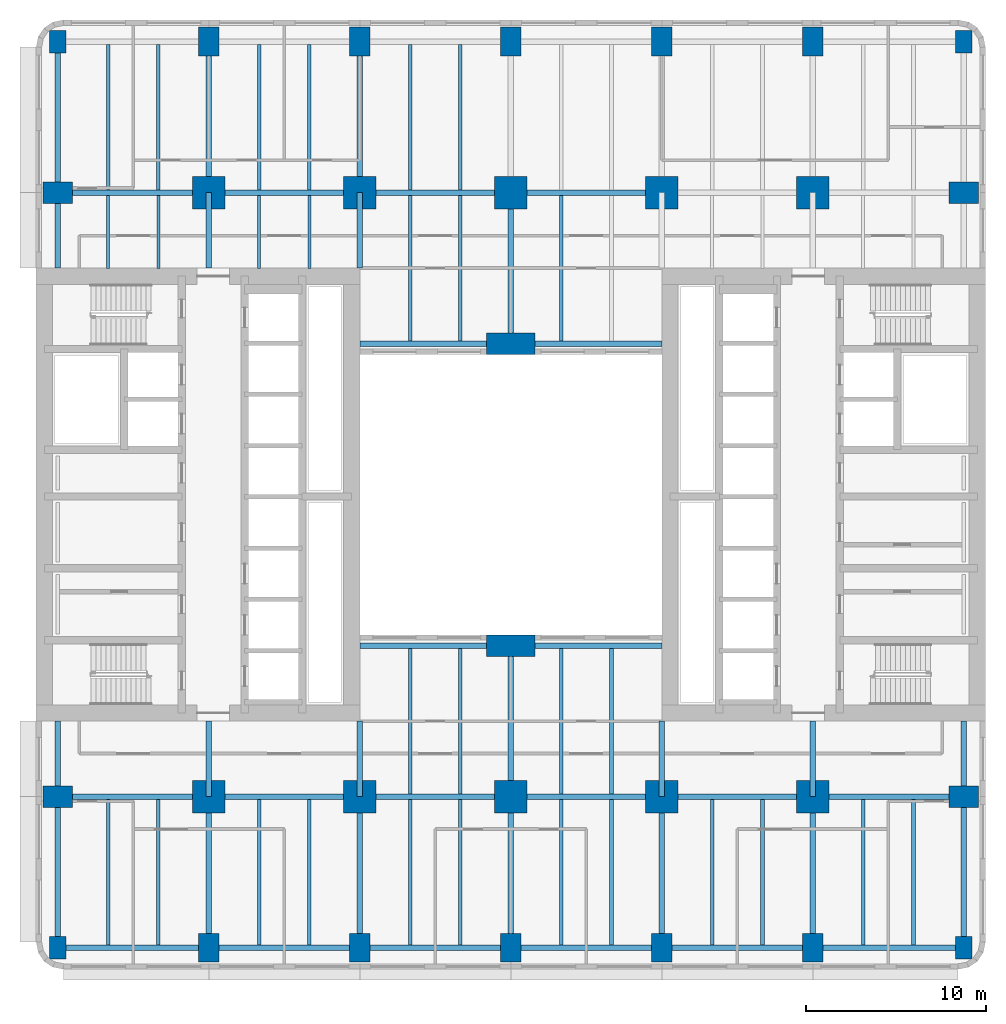
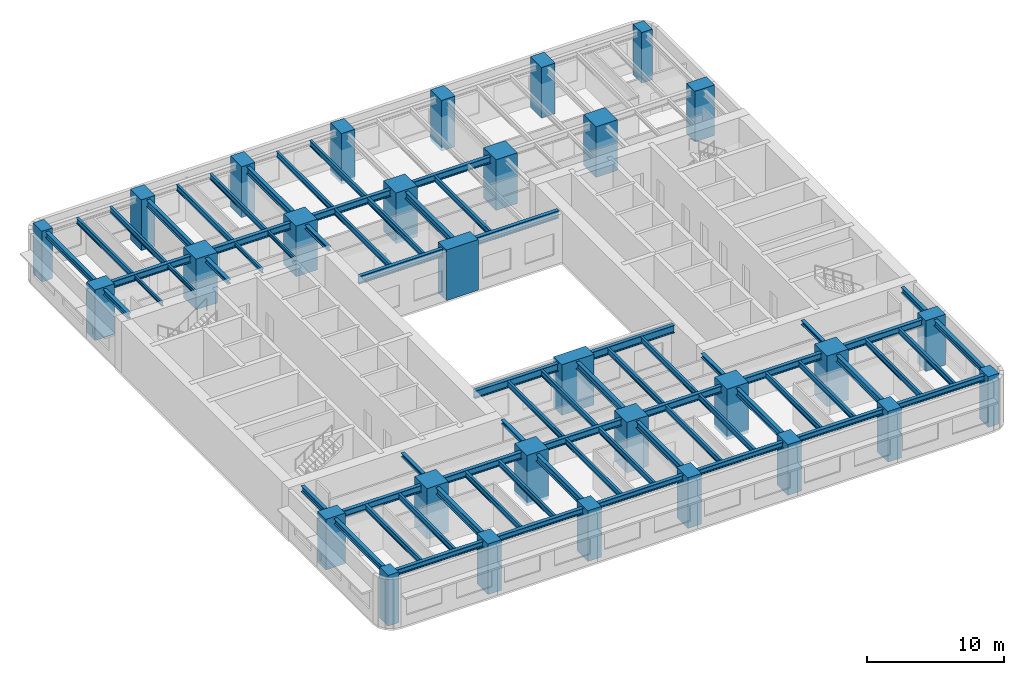
# One storey, part 1 of 14: 70 beams, 30 columns.
"""IFC4 building model written with IfcOpenShell, lengths in metres."""

from ifc_helpers import new_model, si_unit, direction, frame, origin, origin_2d, place, context, subcontext, project, spatial, rectangle, i_section, extrude, material, material_profile, profile_set, type_object, element, save


model = new_model("IFC4")

# Units and contexts
model_context = context("Model", 3, precision=1e-05, world=origin(), true_north=direction((0.0, 1.0)))
body_context = subcontext(model_context, "Body", "Model", "MODEL_VIEW")
ifc_project = project(units=[si_unit("LENGTHUNIT", "METRE"), si_unit("AREAUNIT", "SQUARE_METRE"), si_unit("VOLUMEUNIT", "CUBIC_METRE"), si_unit("PLANEANGLEUNIT", "RADIAN"), si_unit("MASSUNIT", "GRAM", prefix="KILO")], contexts=[model_context])

# Site, building, storey
site_placement = place(None, origin())
site = spatial("IfcSite", under=ifc_project, at=site_placement, CompositionType="ELEMENT")
building_placement = place(site_placement, origin())
building = spatial("IfcBuilding", under=site, at=building_placement, Name="Claustro Exchange Tower", CompositionType="ELEMENT")
storey_placement = place(building_placement, frame((0.0, 0.0, 72.89990234375)))
storey = spatial("IfcBuildingStorey", under=building, at=storey_placement, Name="L16", CompositionType="ELEMENT", Elevation=72.89990234375)

# Columns
ifc_material_1 = material(Name="Concrete HA-70 (C70/85)", Category="concrete")
ifc_material_profile_1 = material_profile(ifc_material_1, rectangle(XDim=1.800048828125, YDim=1.800048828125, at=origin_2d()), Name="RC 1800x1800")
ifc_profile_set_1 = profile_set([ifc_material_profile_1], Name="Concrete HA-70 (C70/85)")
column_type_1 = type_object("IfcColumnType", Name="C14 RC 1800x1800 HA-70 column", PredefinedType="COLUMN", material=ifc_profile_set_1)
for number, where, z_axis, x_axis, name in (
    (1, (8.39990234375, 8.39990234375, 0.0), (0.0, 0.0, 1.0), (1.0, 0.0, 0.0), "Column C14 2/B L16"),
    (2, (8.39990234375, 42.0, 0.0), (0.0, 0.0, 1.0), (1.0, 0.0, 0.0), "Column C14 2/F L16"),
    (3, (16.800048828125, 8.39990234375, 0.0), (0.0, 0.0, 1.0), (1.0, 0.0, 0.0), "Column C14 3/B L16"),
    (4, (16.800048828125, 42.0, 0.0), (0.0, 0.0, 1.0), (1.0, 0.0, 0.0), "Column C14 3/F L16"),
    (5, (25.199951171875, 8.39990234375, 0.0), (0.0, 0.0, 1.0), (1.0, 0.0, 0.0), "Column C14 4/B L16"),
    (6, (25.199951171875, 42.0, 0.0), (0.0, 0.0, 1.0), (1.0, 0.0, 0.0), "Column C14 4/F L16"),
    (7, (33.60009765625, 8.39990234375, 0.0), (0.0, 0.0, 1.0), (1.0, 0.0, 0.0), "Column C14 5/B L16"),
    (8, (33.60009765625, 42.0, 0.0), (0.0, 0.0, 1.0), (1.0, 0.0, 0.0), "Column C14 5/F L16"),
    (9, (42.0, 8.39990234375, 0.0), (0.0, 0.0, 1.0), (1.0, 0.0, 0.0), "Column C14 6/B L16"),
    (10, (42.0, 42.0, 0.0), (0.0, 0.0, 1.0), (1.0, 0.0, 0.0), "Column C14 6/F L16"),
):
    element("IfcColumn", number, at=place(storey_placement, frame(where, z_axis=z_axis, x_axis=x_axis)), inside=storey, type_object=column_type_1, Name=name, PredefinedType="COLUMN", context=body_context, shape_type="SweptSolid", body=[
        extrude(rectangle(XDim=1.800048828125, YDim=1.800048828125, at=origin_2d()), origin(), (0.0, 0.0, 1.0), 4.5),
    ])
ifc_material_2 = material(Name="Concrete HA-70 (C70/85)", Category="concrete")
ifc_material_profile_2 = material_profile(ifc_material_2, rectangle(XDim=1.199951171875, YDim=1.64990234375, at=origin_2d()), Name="RC 1200x1650")
ifc_profile_set_2 = profile_set([ifc_material_profile_2], Name="Concrete HA-70 (C70/85)")
column_type_2 = type_object("IfcColumnType", Name="C19 RC 1200x1650 HA-70 perimeter column", PredefinedType="COLUMN", material=ifc_profile_set_2)
for number, where, z_axis, x_axis, name in (
    (11, (0.0, 8.39990234375, 0.0), (0.0, 0.0, 1.0), (0.0, 1.0, 0.0), "Column C19 1/B L16"),
    (12, (0.0, 42.0, 0.0), (0.0, 0.0, 1.0), (0.0, 1.0, 0.0), "Column C19 1/F L16"),
    (13, (50.39990234375, 8.39990234375, 0.0), (0.0, 0.0, 1.0), (0.0, 1.0, 0.0), "Column C19 7/B L16"),
    (14, (50.39990234375, 42.0, 0.0), (0.0, 0.0, 1.0), (0.0, 1.0, 0.0), "Column C19 7/F L16"),
):
    element("IfcColumn", number, at=place(storey_placement, frame(where, z_axis=z_axis, x_axis=x_axis)), inside=storey, type_object=column_type_2, Name=name, PredefinedType="COLUMN", context=body_context, shape_type="SweptSolid", body=[
        extrude(rectangle(XDim=1.199951171875, YDim=1.64990234375, at=origin_2d()), origin(), (0.0, 0.0, 1.0), 4.5),
    ])
ifc_material_3 = material(Name="Concrete HA-70 (C70/85)", Category="concrete")
ifc_material_profile_3 = material_profile(ifc_material_3, rectangle(XDim=1.14990234375, YDim=1.60009765625, at=origin_2d()), Name="RC 1150x1600")
ifc_profile_set_3 = profile_set([ifc_material_profile_3], Name="Concrete HA-70 (C70/85)")
column_type_3 = type_object("IfcColumnType", Name="C20 RC 1150x1600 HA-70 perimeter column", PredefinedType="COLUMN", material=ifc_profile_set_3)
for number, where, z_axis, x_axis, name in (
    (15, (8.39990234375, 0.0, 0.0), (0.0, 0.0, 1.0), (1.0, 0.0, 0.0), "Column C20 2/A L16"),
    (16, (8.39990234375, 50.39990234375, 0.0), (0.0, 0.0, 1.0), (1.0, 0.0, 0.0), "Column C20 2/G L16"),
    (17, (16.800048828125, 0.0, 0.0), (0.0, 0.0, 1.0), (1.0, 0.0, 0.0), "Column C20 3/A L16"),
    (18, (16.800048828125, 50.39990234375, 0.0), (0.0, 0.0, 1.0), (1.0, 0.0, 0.0), "Column C20 3/G L16"),
    (19, (25.199951171875, 0.0, 0.0), (0.0, 0.0, 1.0), (1.0, 0.0, 0.0), "Column C20 4/A L16"),
    (20, (25.199951171875, 50.39990234375, 0.0), (0.0, 0.0, 1.0), (1.0, 0.0, 0.0), "Column C20 4/G L16"),
    (21, (33.60009765625, 0.0, 0.0), (0.0, 0.0, 1.0), (1.0, 0.0, 0.0), "Column C20 5/A L16"),
    (22, (33.60009765625, 50.39990234375, 0.0), (0.0, 0.0, 1.0), (1.0, 0.0, 0.0), "Column C20 5/G L16"),
    (23, (42.0, 0.0, 0.0), (0.0, 0.0, 1.0), (1.0, 0.0, 0.0), "Column C20 6/A L16"),
    (24, (42.0, 50.39990234375, 0.0), (0.0, 0.0, 1.0), (1.0, 0.0, 0.0), "Column C20 6/G L16"),
):
    element("IfcColumn", number, at=place(storey_placement, frame(where, z_axis=z_axis, x_axis=x_axis)), inside=storey, type_object=column_type_3, Name=name, PredefinedType="COLUMN", context=body_context, shape_type="SweptSolid", body=[
        extrude(rectangle(XDim=1.14990234375, YDim=1.60009765625, at=origin_2d()), origin(), (0.0, 0.0, 1.0), 4.5),
    ])
ifc_material_4 = material(Name="Concrete HA-70 (C70/85)", Category="concrete")
ifc_material_profile_4 = material_profile(ifc_material_4, rectangle(XDim=2.699951171875, YDim=1.199951171875, at=origin_2d()), Name="RC 2700x1200")
ifc_profile_set_4 = profile_set([ifc_material_profile_4], Name="Concrete HA-70 (C70/85)")
column_type_4 = type_object("IfcColumnType", Name="C30 RC 2700x1200 HA-70 light well column", PredefinedType="COLUMN", material=ifc_profile_set_4)
for number, where, z_axis, x_axis, name in (
    (25, (25.199951171875, 16.800048828125, 0.0), (0.0, 0.0, 1.0), (1.0, 0.0, 0.0), "Column C30 4/C L16"),
    (26, (25.199951171875, 33.60009765625, 0.0), (0.0, 0.0, 1.0), (1.0, 0.0, 0.0), "Column C30 4/E L16"),
):
    element("IfcColumn", number, at=place(storey_placement, frame(where, z_axis=z_axis, x_axis=x_axis)), inside=storey, type_object=column_type_4, Name=name, PredefinedType="COLUMN", context=body_context, shape_type="SweptSolid", body=[
        extrude(rectangle(XDim=2.699951171875, YDim=1.199951171875, at=origin_2d()), origin(), (0.0, 0.0, 1.0), 4.5),
    ])
ifc_material_5 = material(Name="Concrete HA-70 (C70/85)", Category="concrete")
ifc_material_profile_5 = material_profile(ifc_material_5, rectangle(XDim=0.89990234375, YDim=1.25, at=origin_2d()), Name="RC 900x1250")
ifc_profile_set_5 = profile_set([ifc_material_profile_5], Name="Concrete HA-70 (C70/85)")
column_type_5 = type_object("IfcColumnType", Name="C35 RC 900x1250 HA-70 corner column", PredefinedType="COLUMN", material=ifc_profile_set_5)
for number, where, z_axis, x_axis, name in (
    (27, (0.0, 0.0, 0.0), (0.0, 0.0, 1.0), (1.0, 0.0, 0.0), "Column C35 1/A L16"),
    (28, (0.0, 50.39990234375, 0.0), (0.0, 0.0, 1.0), (1.0, 0.0, 0.0), "Column C35 1/G L16"),
    (29, (50.39990234375, 0.0, 0.0), (0.0, 0.0, 1.0), (1.0, 0.0, 0.0), "Column C35 7/A L16"),
    (30, (50.39990234375, 50.39990234375, 0.0), (0.0, 0.0, 1.0), (1.0, 0.0, 0.0), "Column C35 7/G L16"),
):
    element("IfcColumn", number, at=place(storey_placement, frame(where, z_axis=z_axis, x_axis=x_axis)), inside=storey, type_object=column_type_5, Name=name, PredefinedType="COLUMN", context=body_context, shape_type="SweptSolid", body=[
        extrude(rectangle(XDim=0.89990234375, YDim=1.25, at=origin_2d()), origin(), (0.0, 0.0, 1.0), 4.5),
    ])

# Beams
ifc_material_6 = material(Name="Steel S355", Category="steel")
ifc_material_profile_6 = material_profile(ifc_material_6, i_section(OverallWidth=0.300048828125, OverallDepth=0.60009765625, WebThickness=0.015380859375, FlangeThickness=0.030029296875, FilletRadius=0.027099609375, at=origin_2d()), Name="HE 600 B")
ifc_profile_set_6 = profile_set([ifc_material_profile_6], Name="Steel S355")
beam_type_1 = type_object("IfcBeamType", Name="B1 HE 600 B floor girder", PredefinedType="BEAM", material=ifc_profile_set_6)
for number, where, z_axis, x_axis, name in (
    (31, (8.39990234375, 0.0, 4.0400390625), (0.0, 1.0, 0.0), (-1.0, 0.0, 0.0), "Beam B1 L17"),
    (32, (8.39990234375, 42.0, 4.0400390625), (0.0, 1.0, 0.0), (-1.0, 0.0, 0.0), "Beam B1 L17"),
    (33, (16.800048828125, 0.0, 4.0400390625), (0.0, 1.0, 0.0), (-1.0, 0.0, 0.0), "Beam B1 L17"),
    (34, (16.800048828125, 42.0, 4.0400390625), (0.0, 1.0, 0.0), (-1.0, 0.0, 0.0), "Beam B1 L17"),
    (35, (25.199951171875, 0.0, 4.0400390625), (0.0, 1.0, 0.0), (-1.0, 0.0, 0.0), "Beam B1 L17"),
):
    element("IfcBeam", number, at=place(storey_placement, frame(where, z_axis=z_axis, x_axis=x_axis)), inside=storey, type_object=beam_type_1, Name=name, PredefinedType="BEAM", context=body_context, shape_type="SweptSolid", body=[
        extrude(i_section(OverallWidth=0.300048828125, OverallDepth=0.60009765625, WebThickness=0.015380859375, FlangeThickness=0.030029296875, FilletRadius=0.027099609375, at=origin_2d()), origin(), (0.0, 0.0, 1.0), 8.39990234375),
    ])
beam_1_placement = place(storey_placement, frame((25.199951171875, 8.39990234375, 4.0400390625), z_axis=(0.0, 1.0, 0.0), x_axis=(-1.0, 0.0, 0.0)))
element("IfcBeam", 36, at=beam_1_placement, inside=storey, type_object=beam_type_1, Name="Beam B1 L17", PredefinedType="BEAM", context=body_context, shape_type="SweptSolid", body=[
    extrude(i_section(OverallWidth=0.300048828125, OverallDepth=0.60009765625, WebThickness=0.015380859375, FlangeThickness=0.030029296875, FilletRadius=0.027099609375, at=origin_2d()), origin(), (0.0, 0.0, 1.0), 8.400146484375),
])
for number, where, z_axis, x_axis, name in (
    (37, (25.199951171875, 33.60009765625, 4.0400390625), (0.0, 1.0, 0.0), (-1.0, 0.0, 0.0), "Beam B1 L17"),
    (38, (33.60009765625, 0.0, 4.0400390625), (0.0, 1.0, 0.0), (-1.0, 0.0, 0.0), "Beam B1 L17"),
    (39, (42.0, 0.0, 4.0400390625), (0.0, 1.0, 0.0), (-1.0, 0.0, 0.0), "Beam B1 L17"),
    (40, (0.0, 8.39990234375, 4.0400390625), (1.0, 0.0, 0.0), (0.0, 1.0, 0.0), "Beam B1 L17"),
):
    element("IfcBeam", number, at=place(storey_placement, frame(where, z_axis=z_axis, x_axis=x_axis)), inside=storey, type_object=beam_type_1, Name=name, PredefinedType="BEAM", context=body_context, shape_type="SweptSolid", body=[
        extrude(i_section(OverallWidth=0.300048828125, OverallDepth=0.60009765625, WebThickness=0.015380859375, FlangeThickness=0.030029296875, FilletRadius=0.027099609375, at=origin_2d()), origin(), (0.0, 0.0, 1.0), 8.39990234375),
    ])
beam_2_placement = place(storey_placement, frame((8.39990234375, 8.39990234375, 4.0400390625), z_axis=(1.0, 0.0, 0.0), x_axis=(0.0, 1.0, 0.0)))
element("IfcBeam", 41, at=beam_2_placement, inside=storey, type_object=beam_type_1, Name="Beam B1 L17", PredefinedType="BEAM", context=body_context, shape_type="SweptSolid", body=[
    extrude(i_section(OverallWidth=0.300048828125, OverallDepth=0.60009765625, WebThickness=0.015380859375, FlangeThickness=0.030029296875, FilletRadius=0.027099609375, at=origin_2d()), origin(), (0.0, 0.0, 1.0), 8.400146484375),
])
beam_3_placement = place(storey_placement, frame((16.800048828125, 8.39990234375, 4.0400390625), z_axis=(1.0, 0.0, 0.0), x_axis=(0.0, 1.0, 0.0)))
element("IfcBeam", 42, at=beam_3_placement, inside=storey, type_object=beam_type_1, Name="Beam B1 L17", PredefinedType="BEAM", context=body_context, shape_type="SweptSolid", body=[
    extrude(i_section(OverallWidth=0.300048828125, OverallDepth=0.60009765625, WebThickness=0.015380859375, FlangeThickness=0.030029296875, FilletRadius=0.027099609375, at=origin_2d()), origin(), (0.0, 0.0, 1.0), 8.39990234375),
])
beam_4_placement = place(storey_placement, frame((25.199951171875, 8.39990234375, 4.0400390625), z_axis=(1.0, 0.0, 0.0), x_axis=(0.0, 1.0, 0.0)))
element("IfcBeam", 43, at=beam_4_placement, inside=storey, type_object=beam_type_1, Name="Beam B1 L17", PredefinedType="BEAM", context=body_context, shape_type="SweptSolid", body=[
    extrude(i_section(OverallWidth=0.300048828125, OverallDepth=0.60009765625, WebThickness=0.015380859375, FlangeThickness=0.030029296875, FilletRadius=0.027099609375, at=origin_2d()), origin(), (0.0, 0.0, 1.0), 8.400146484375),
])
for number, where, z_axis, x_axis, name in (
    (44, (33.60009765625, 8.39990234375, 4.0400390625), (1.0, 0.0, 0.0), (0.0, 1.0, 0.0), "Beam B1 L17"),
    (45, (42.0, 8.39990234375, 4.0400390625), (1.0, 0.0, 0.0), (0.0, 1.0, 0.0), "Beam B1 L17"),
    (46, (0.0, 42.0, 4.0400390625), (1.0, 0.0, 0.0), (0.0, 1.0, 0.0), "Beam B1 L17"),
):
    element("IfcBeam", number, at=place(storey_placement, frame(where, z_axis=z_axis, x_axis=x_axis)), inside=storey, type_object=beam_type_1, Name=name, PredefinedType="BEAM", context=body_context, shape_type="SweptSolid", body=[
        extrude(i_section(OverallWidth=0.300048828125, OverallDepth=0.60009765625, WebThickness=0.015380859375, FlangeThickness=0.030029296875, FilletRadius=0.027099609375, at=origin_2d()), origin(), (0.0, 0.0, 1.0), 8.39990234375),
    ])
beam_5_placement = place(storey_placement, frame((8.39990234375, 42.0, 4.0400390625), z_axis=(1.0, 0.0, 0.0), x_axis=(0.0, 1.0, 0.0)))
element("IfcBeam", 47, at=beam_5_placement, inside=storey, type_object=beam_type_1, Name="Beam B1 L17", PredefinedType="BEAM", context=body_context, shape_type="SweptSolid", body=[
    extrude(i_section(OverallWidth=0.300048828125, OverallDepth=0.60009765625, WebThickness=0.015380859375, FlangeThickness=0.030029296875, FilletRadius=0.027099609375, at=origin_2d()), origin(), (0.0, 0.0, 1.0), 8.400146484375),
])
beam_6_placement = place(storey_placement, frame((16.800048828125, 42.0, 4.0400390625), z_axis=(1.0, 0.0, 0.0), x_axis=(0.0, 1.0, 0.0)))
element("IfcBeam", 48, at=beam_6_placement, inside=storey, type_object=beam_type_1, Name="Beam B1 L17", PredefinedType="BEAM", context=body_context, shape_type="SweptSolid", body=[
    extrude(i_section(OverallWidth=0.300048828125, OverallDepth=0.60009765625, WebThickness=0.015380859375, FlangeThickness=0.030029296875, FilletRadius=0.027099609375, at=origin_2d()), origin(), (0.0, 0.0, 1.0), 8.39990234375),
])
beam_7_placement = place(storey_placement, frame((25.199951171875, 42.0, 4.0400390625), z_axis=(1.0, 0.0, 0.0), x_axis=(0.0, 1.0, 0.0)))
element("IfcBeam", 49, at=beam_7_placement, inside=storey, type_object=beam_type_1, Name="Beam B1 L17", PredefinedType="BEAM", context=body_context, shape_type="SweptSolid", body=[
    extrude(i_section(OverallWidth=0.300048828125, OverallDepth=0.60009765625, WebThickness=0.015380859375, FlangeThickness=0.030029296875, FilletRadius=0.027099609375, at=origin_2d()), origin(), (0.0, 0.0, 1.0), 8.400146484375),
])
ifc_material_7 = material(Name="Steel S355", Category="steel")
ifc_material_profile_7 = material_profile(ifc_material_7, i_section(OverallWidth=0.300048828125, OverallDepth=0.68994140625, WebThickness=0.014404296875, FlangeThickness=0.027099609375, FilletRadius=0.027099609375, at=origin_2d()), Name="HE 700 A")
ifc_profile_set_7 = profile_set([ifc_material_profile_7], Name="Steel S355")
beam_type_2 = type_object("IfcBeamType", Name="B13 HE 700 A light well edge girder", PredefinedType="BEAM", material=ifc_profile_set_7)
beam_8_placement = place(storey_placement, frame((16.800048828125, 16.800048828125, 3.9951171875), z_axis=(1.0, 0.0, 0.0), x_axis=(0.0, 1.0, 0.0)))
element("IfcBeam", 50, at=beam_8_placement, inside=storey, type_object=beam_type_2, Name="Beam B13 L17", PredefinedType="BEAM", context=body_context, shape_type="SweptSolid", body=[
    extrude(i_section(OverallWidth=0.300048828125, OverallDepth=0.68994140625, WebThickness=0.014404296875, FlangeThickness=0.027099609375, FilletRadius=0.027099609375, at=origin_2d()), origin(), (0.0, 0.0, 1.0), 8.39990234375),
])
beam_9_placement = place(storey_placement, frame((25.199951171875, 16.800048828125, 3.9951171875), z_axis=(1.0, 0.0, 0.0), x_axis=(0.0, 1.0, 0.0)))
element("IfcBeam", 51, at=beam_9_placement, inside=storey, type_object=beam_type_2, Name="Beam B13 L17", PredefinedType="BEAM", context=body_context, shape_type="SweptSolid", body=[
    extrude(i_section(OverallWidth=0.300048828125, OverallDepth=0.68994140625, WebThickness=0.014404296875, FlangeThickness=0.027099609375, FilletRadius=0.027099609375, at=origin_2d()), origin(), (0.0, 0.0, 1.0), 8.400146484375),
])
beam_10_placement = place(storey_placement, frame((16.800048828125, 33.60009765625, 3.9951171875), z_axis=(1.0, 0.0, 0.0), x_axis=(0.0, 1.0, 0.0)))
element("IfcBeam", 52, at=beam_10_placement, inside=storey, type_object=beam_type_2, Name="Beam B13 L17", PredefinedType="BEAM", context=body_context, shape_type="SweptSolid", body=[
    extrude(i_section(OverallWidth=0.300048828125, OverallDepth=0.68994140625, WebThickness=0.014404296875, FlangeThickness=0.027099609375, FilletRadius=0.027099609375, at=origin_2d()), origin(), (0.0, 0.0, 1.0), 8.39990234375),
])
beam_11_placement = place(storey_placement, frame((25.199951171875, 33.60009765625, 3.9951171875), z_axis=(1.0, 0.0, 0.0), x_axis=(0.0, 1.0, 0.0)))
element("IfcBeam", 53, at=beam_11_placement, inside=storey, type_object=beam_type_2, Name="Beam B13 L17", PredefinedType="BEAM", context=body_context, shape_type="SweptSolid", body=[
    extrude(i_section(OverallWidth=0.300048828125, OverallDepth=0.68994140625, WebThickness=0.014404296875, FlangeThickness=0.027099609375, FilletRadius=0.027099609375, at=origin_2d()), origin(), (0.0, 0.0, 1.0), 8.400146484375),
])
ifc_material_8 = material(Name="Steel S355", Category="steel")
ifc_material_profile_8 = material_profile(ifc_material_8, i_section(OverallWidth=0.169921875, OverallDepth=0.360107421875, WebThickness=0.008056640625, FlangeThickness=0.0126953125, FilletRadius=0.01806640625, at=origin_2d()), Name="IPE 360")
ifc_profile_set_8 = profile_set([ifc_material_profile_8], Name="Steel S355")
beam_type_3 = type_object("IfcBeamType", Name="B16 IPE 360 short-span beam", PredefinedType="BEAM", material=ifc_profile_set_8)
for number, where, z_axis, x_axis, name in (
    (54, (2.800048828125, 37.7900390625, 4.16015625), (0.0, 1.0, 0.0), (-1.0, 0.0, 0.0), "Beam B16 L17"),
    (55, (5.60009765625, 37.7900390625, 4.16015625), (0.0, 1.0, 0.0), (-1.0, 0.0, 0.0), "Beam B16 L17"),
    (56, (11.199951171875, 37.7900390625, 4.16015625), (0.0, 1.0, 0.0), (-1.0, 0.0, 0.0), "Beam B16 L17"),
    (57, (14.0, 37.7900390625, 4.16015625), (0.0, 1.0, 0.0), (-1.0, 0.0, 0.0), "Beam B16 L17"),
):
    element("IfcBeam", number, at=place(storey_placement, frame(where, z_axis=z_axis, x_axis=x_axis)), inside=storey, type_object=beam_type_3, Name=name, PredefinedType="BEAM", context=body_context, shape_type="SweptSolid", body=[
        extrude(i_section(OverallWidth=0.169921875, OverallDepth=0.360107421875, WebThickness=0.008056640625, FlangeThickness=0.0126953125, FilletRadius=0.01806640625, at=origin_2d()), origin(), (0.0, 0.0, 1.0), 4.06005859375),
    ])
ifc_material_9 = material(Name="Steel S355", Category="steel")
ifc_material_profile_9 = material_profile(ifc_material_9, i_section(OverallWidth=0.199951171875, OverallDepth=0.5, WebThickness=0.01025390625, FlangeThickness=0.01611328125, FilletRadius=0.02099609375, at=origin_2d()), Name="IPE 500")
ifc_profile_set_9 = profile_set([ifc_material_profile_9], Name="Steel S355")
beam_type_4 = type_object("IfcBeamType", Name="B2 IPE 500 secondary beam", PredefinedType="BEAM", material=ifc_profile_set_9)
for number, where, z_axis, x_axis, name in (
    (58, (2.800048828125, 0.14990234375, 4.090087890625), (0.0, 1.0, 0.0), (-1.0, 0.0, 0.0), "Beam B2 L17"),
    (59, (5.60009765625, 0.14990234375, 4.090087890625), (0.0, 1.0, 0.0), (-1.0, 0.0, 0.0), "Beam B2 L17"),
    (60, (2.800048828125, 42.14990234375, 4.090087890625), (0.0, 1.0, 0.0), (-1.0, 0.0, 0.0), "Beam B2 L17"),
    (61, (5.60009765625, 42.14990234375, 4.090087890625), (0.0, 1.0, 0.0), (-1.0, 0.0, 0.0), "Beam B2 L17"),
    (62, (11.199951171875, 0.14990234375, 4.090087890625), (0.0, 1.0, 0.0), (-1.0, 0.0, 0.0), "Beam B2 L17"),
    (63, (14.0, 0.14990234375, 4.090087890625), (0.0, 1.0, 0.0), (-1.0, 0.0, 0.0), "Beam B2 L17"),
    (64, (11.199951171875, 42.14990234375, 4.090087890625), (0.0, 1.0, 0.0), (-1.0, 0.0, 0.0), "Beam B2 L17"),
    (65, (14.0, 42.14990234375, 4.090087890625), (0.0, 1.0, 0.0), (-1.0, 0.0, 0.0), "Beam B2 L17"),
    (66, (19.60009765625, 0.14990234375, 4.090087890625), (0.0, 1.0, 0.0), (-1.0, 0.0, 0.0), "Beam B2 L17"),
    (67, (22.39990234375, 0.14990234375, 4.090087890625), (0.0, 1.0, 0.0), (-1.0, 0.0, 0.0), "Beam B2 L17"),
):
    element("IfcBeam", number, at=place(storey_placement, frame(where, z_axis=z_axis, x_axis=x_axis)), inside=storey, type_object=beam_type_4, Name=name, PredefinedType="BEAM", context=body_context, shape_type="SweptSolid", body=[
        extrude(i_section(OverallWidth=0.199951171875, OverallDepth=0.5, WebThickness=0.01025390625, FlangeThickness=0.01611328125, FilletRadius=0.02099609375, at=origin_2d()), origin(), (0.0, 0.0, 1.0), 8.10009765625),
    ])
for number, where, z_axis, x_axis, name in (
    (68, (19.60009765625, 8.550048828125, 4.090087890625), (0.0, 1.0, 0.0), (-1.0, 0.0, 0.0), "Beam B2 L17"),
    (69, (22.39990234375, 8.550048828125, 4.090087890625), (0.0, 1.0, 0.0), (-1.0, 0.0, 0.0), "Beam B2 L17"),
):
    element("IfcBeam", number, at=place(storey_placement, frame(where, z_axis=z_axis, x_axis=x_axis)), inside=storey, type_object=beam_type_4, Name=name, PredefinedType="BEAM", context=body_context, shape_type="SweptSolid", body=[
        extrude(i_section(OverallWidth=0.199951171875, OverallDepth=0.5, WebThickness=0.01025390625, FlangeThickness=0.01611328125, FilletRadius=0.02099609375, at=origin_2d()), origin(), (0.0, 0.0, 1.0), 8.099853515625),
    ])
for number, where, z_axis, x_axis, name in (
    (70, (19.60009765625, 33.75, 4.090087890625), (0.0, 1.0, 0.0), (-1.0, 0.0, 0.0), "Beam B2 L17"),
    (71, (22.39990234375, 33.75, 4.090087890625), (0.0, 1.0, 0.0), (-1.0, 0.0, 0.0), "Beam B2 L17"),
    (72, (19.60009765625, 42.14990234375, 4.090087890625), (0.0, 1.0, 0.0), (-1.0, 0.0, 0.0), "Beam B2 L17"),
    (73, (22.39990234375, 42.14990234375, 4.090087890625), (0.0, 1.0, 0.0), (-1.0, 0.0, 0.0), "Beam B2 L17"),
    (74, (28.0, 0.14990234375, 4.090087890625), (0.0, 1.0, 0.0), (-1.0, 0.0, 0.0), "Beam B2 L17"),
    (75, (30.800048828125, 0.14990234375, 4.090087890625), (0.0, 1.0, 0.0), (-1.0, 0.0, 0.0), "Beam B2 L17"),
):
    element("IfcBeam", number, at=place(storey_placement, frame(where, z_axis=z_axis, x_axis=x_axis)), inside=storey, type_object=beam_type_4, Name=name, PredefinedType="BEAM", context=body_context, shape_type="SweptSolid", body=[
        extrude(i_section(OverallWidth=0.199951171875, OverallDepth=0.5, WebThickness=0.01025390625, FlangeThickness=0.01611328125, FilletRadius=0.02099609375, at=origin_2d()), origin(), (0.0, 0.0, 1.0), 8.10009765625),
    ])
for number, where, z_axis, x_axis, name in (
    (76, (28.0, 8.550048828125, 4.090087890625), (0.0, 1.0, 0.0), (-1.0, 0.0, 0.0), "Beam B2 L17"),
    (77, (30.800048828125, 8.550048828125, 4.090087890625), (0.0, 1.0, 0.0), (-1.0, 0.0, 0.0), "Beam B2 L17"),
):
    element("IfcBeam", number, at=place(storey_placement, frame(where, z_axis=z_axis, x_axis=x_axis)), inside=storey, type_object=beam_type_4, Name=name, PredefinedType="BEAM", context=body_context, shape_type="SweptSolid", body=[
        extrude(i_section(OverallWidth=0.199951171875, OverallDepth=0.5, WebThickness=0.01025390625, FlangeThickness=0.01611328125, FilletRadius=0.02099609375, at=origin_2d()), origin(), (0.0, 0.0, 1.0), 8.099853515625),
    ])
for number, where, z_axis, x_axis, name in (
    (78, (28.0, 33.75, 4.090087890625), (0.0, 1.0, 0.0), (-1.0, 0.0, 0.0), "Beam B2 L17"),
    (79, (36.39990234375, 0.14990234375, 4.090087890625), (0.0, 1.0, 0.0), (-1.0, 0.0, 0.0), "Beam B2 L17"),
    (80, (39.199951171875, 0.14990234375, 4.090087890625), (0.0, 1.0, 0.0), (-1.0, 0.0, 0.0), "Beam B2 L17"),
    (81, (44.800048828125, 0.14990234375, 4.090087890625), (0.0, 1.0, 0.0), (-1.0, 0.0, 0.0), "Beam B2 L17"),
    (82, (47.60009765625, 0.14990234375, 4.090087890625), (0.0, 1.0, 0.0), (-1.0, 0.0, 0.0), "Beam B2 L17"),
):
    element("IfcBeam", number, at=place(storey_placement, frame(where, z_axis=z_axis, x_axis=x_axis)), inside=storey, type_object=beam_type_4, Name=name, PredefinedType="BEAM", context=body_context, shape_type="SweptSolid", body=[
        extrude(i_section(OverallWidth=0.199951171875, OverallDepth=0.5, WebThickness=0.01025390625, FlangeThickness=0.01611328125, FilletRadius=0.02099609375, at=origin_2d()), origin(), (0.0, 0.0, 1.0), 8.10009765625),
    ])
ifc_material_10 = material(Name="Steel S355", Category="steel")
ifc_material_profile_10 = material_profile(ifc_material_10, i_section(OverallWidth=0.300048828125, OverallDepth=0.360107421875, WebThickness=0.012451171875, FlangeThickness=0.0224609375, FilletRadius=0.027099609375, at=origin_2d()), Name="HE 360 B")
ifc_profile_set_10 = profile_set([ifc_material_profile_10], Name="Steel S355")
beam_type_5 = type_object("IfcBeamType", Name="B29 HE 360 B column to core link beam", PredefinedType="BEAM", material=ifc_profile_set_10)
beam_12_placement = place(storey_placement, frame((8.39990234375, 8.39990234375, 4.16015625), z_axis=(0.0, 1.0, 0.0), x_axis=(-1.0, 0.0, 0.0)))
element("IfcBeam", 83, at=beam_12_placement, inside=storey, type_object=beam_type_5, Name="Beam B29 L17", PredefinedType="BEAM", context=body_context, shape_type="SweptSolid", body=[
    extrude(i_section(OverallWidth=0.300048828125, OverallDepth=0.360107421875, WebThickness=0.012451171875, FlangeThickness=0.0224609375, FilletRadius=0.027099609375, at=origin_2d()), origin(), (0.0, 0.0, 1.0), 4.2001953125),
])
beam_13_placement = place(storey_placement, frame((8.39990234375, 37.800048828125, 4.16015625), z_axis=(0.0, 1.0, 0.0), x_axis=(-1.0, 0.0, 0.0)))
element("IfcBeam", 84, at=beam_13_placement, inside=storey, type_object=beam_type_5, Name="Beam B29 L17", PredefinedType="BEAM", context=body_context, shape_type="SweptSolid", body=[
    extrude(i_section(OverallWidth=0.300048828125, OverallDepth=0.360107421875, WebThickness=0.012451171875, FlangeThickness=0.0224609375, FilletRadius=0.027099609375, at=origin_2d()), origin(), (0.0, 0.0, 1.0), 4.199951171875),
])
beam_14_placement = place(storey_placement, frame((16.800048828125, 8.39990234375, 4.16015625), z_axis=(0.0, 1.0, 0.0), x_axis=(-1.0, 0.0, 0.0)))
element("IfcBeam", 85, at=beam_14_placement, inside=storey, type_object=beam_type_5, Name="Beam B29 L17", PredefinedType="BEAM", context=body_context, shape_type="SweptSolid", body=[
    extrude(i_section(OverallWidth=0.300048828125, OverallDepth=0.360107421875, WebThickness=0.012451171875, FlangeThickness=0.0224609375, FilletRadius=0.027099609375, at=origin_2d()), origin(), (0.0, 0.0, 1.0), 4.2001953125),
])
beam_15_placement = place(storey_placement, frame((16.800048828125, 37.800048828125, 4.16015625), z_axis=(0.0, 1.0, 0.0), x_axis=(-1.0, 0.0, 0.0)))
element("IfcBeam", 86, at=beam_15_placement, inside=storey, type_object=beam_type_5, Name="Beam B29 L17", PredefinedType="BEAM", context=body_context, shape_type="SweptSolid", body=[
    extrude(i_section(OverallWidth=0.300048828125, OverallDepth=0.360107421875, WebThickness=0.012451171875, FlangeThickness=0.0224609375, FilletRadius=0.027099609375, at=origin_2d()), origin(), (0.0, 0.0, 1.0), 4.199951171875),
])
for number, where, z_axis, x_axis, name in (
    (87, (33.60009765625, 8.39990234375, 4.16015625), (0.0, 1.0, 0.0), (-1.0, 0.0, 0.0), "Beam B29 L17"),
    (88, (42.0, 8.39990234375, 4.16015625), (0.0, 1.0, 0.0), (-1.0, 0.0, 0.0), "Beam B29 L17"),
):
    element("IfcBeam", number, at=place(storey_placement, frame(where, z_axis=z_axis, x_axis=x_axis)), inside=storey, type_object=beam_type_5, Name=name, PredefinedType="BEAM", context=body_context, shape_type="SweptSolid", body=[
        extrude(i_section(OverallWidth=0.300048828125, OverallDepth=0.360107421875, WebThickness=0.012451171875, FlangeThickness=0.0224609375, FilletRadius=0.027099609375, at=origin_2d()), origin(), (0.0, 0.0, 1.0), 4.2001953125),
    ])
ifc_material_11 = material(Name="Steel S355", Category="steel")
ifc_material_profile_11 = material_profile(ifc_material_11, i_section(OverallWidth=0.300048828125, OverallDepth=0.5, WebThickness=0.014404296875, FlangeThickness=0.028076171875, FilletRadius=0.027099609375, at=origin_2d()), Name="HE 500 B")
ifc_profile_set_11 = profile_set([ifc_material_profile_11], Name="Steel S355")
beam_type_6 = type_object("IfcBeamType", Name="B3 HE 500 B spandrel edge girder", PredefinedType="SPANDREL", material=ifc_profile_set_11)
beam_16_placement = place(storey_placement, frame((0.0, 0.0, 4.090087890625), z_axis=(0.0, 1.0, 0.0), x_axis=(-1.0, 0.0, 0.0)))
element("IfcBeam", 89, at=beam_16_placement, inside=storey, type_object=beam_type_6, Name="Beam B3 L17", PredefinedType="SPANDREL", context=body_context, shape_type="SweptSolid", body=[
    extrude(i_section(OverallWidth=0.300048828125, OverallDepth=0.5, WebThickness=0.014404296875, FlangeThickness=0.028076171875, FilletRadius=0.027099609375, at=origin_2d()), origin(), (0.0, 0.0, 1.0), 8.39990234375),
])
beam_17_placement = place(storey_placement, frame((0.0, 8.39990234375, 4.090087890625), z_axis=(0.0, 1.0, 0.0), x_axis=(-1.0, 0.0, 0.0)))
element("IfcBeam", 90, at=beam_17_placement, inside=storey, type_object=beam_type_6, Name="Beam B3 L17", PredefinedType="SPANDREL", context=body_context, shape_type="SweptSolid", body=[
    extrude(i_section(OverallWidth=0.300048828125, OverallDepth=0.5, WebThickness=0.014404296875, FlangeThickness=0.028076171875, FilletRadius=0.027099609375, at=origin_2d()), origin(), (0.0, 0.0, 1.0), 4.2001953125),
])
beam_18_placement = place(storey_placement, frame((0.0, 37.800048828125, 4.090087890625), z_axis=(0.0, 1.0, 0.0), x_axis=(-1.0, 0.0, 0.0)))
element("IfcBeam", 91, at=beam_18_placement, inside=storey, type_object=beam_type_6, Name="Beam B3 L17", PredefinedType="SPANDREL", context=body_context, shape_type="SweptSolid", body=[
    extrude(i_section(OverallWidth=0.300048828125, OverallDepth=0.5, WebThickness=0.014404296875, FlangeThickness=0.028076171875, FilletRadius=0.027099609375, at=origin_2d()), origin(), (0.0, 0.0, 1.0), 4.199951171875),
])
for number, where, z_axis, x_axis, name in (
    (92, (0.0, 42.0, 4.090087890625), (0.0, 1.0, 0.0), (-1.0, 0.0, 0.0), "Beam B3 L17"),
    (93, (50.39990234375, 0.0, 4.090087890625), (0.0, 1.0, 0.0), (-1.0, 0.0, 0.0), "Beam B3 L17"),
):
    element("IfcBeam", number, at=place(storey_placement, frame(where, z_axis=z_axis, x_axis=x_axis)), inside=storey, type_object=beam_type_6, Name=name, PredefinedType="SPANDREL", context=body_context, shape_type="SweptSolid", body=[
        extrude(i_section(OverallWidth=0.300048828125, OverallDepth=0.5, WebThickness=0.014404296875, FlangeThickness=0.028076171875, FilletRadius=0.027099609375, at=origin_2d()), origin(), (0.0, 0.0, 1.0), 8.39990234375),
    ])
beam_19_placement = place(storey_placement, frame((50.39990234375, 8.39990234375, 4.090087890625), z_axis=(0.0, 1.0, 0.0), x_axis=(-1.0, 0.0, 0.0)))
element("IfcBeam", 94, at=beam_19_placement, inside=storey, type_object=beam_type_6, Name="Beam B3 L17", PredefinedType="SPANDREL", context=body_context, shape_type="SweptSolid", body=[
    extrude(i_section(OverallWidth=0.300048828125, OverallDepth=0.5, WebThickness=0.014404296875, FlangeThickness=0.028076171875, FilletRadius=0.027099609375, at=origin_2d()), origin(), (0.0, 0.0, 1.0), 4.2001953125),
])
beam_20_placement = place(storey_placement, frame((0.0, 0.0, 4.090087890625), z_axis=(1.0, 0.0, 0.0), x_axis=(0.0, 1.0, 0.0)))
element("IfcBeam", 95, at=beam_20_placement, inside=storey, type_object=beam_type_6, Name="Beam B3 L17", PredefinedType="SPANDREL", context=body_context, shape_type="SweptSolid", body=[
    extrude(i_section(OverallWidth=0.300048828125, OverallDepth=0.5, WebThickness=0.014404296875, FlangeThickness=0.028076171875, FilletRadius=0.027099609375, at=origin_2d()), origin(), (0.0, 0.0, 1.0), 8.39990234375),
])
beam_21_placement = place(storey_placement, frame((8.39990234375, 0.0, 4.090087890625), z_axis=(1.0, 0.0, 0.0), x_axis=(0.0, 1.0, 0.0)))
element("IfcBeam", 96, at=beam_21_placement, inside=storey, type_object=beam_type_6, Name="Beam B3 L17", PredefinedType="SPANDREL", context=body_context, shape_type="SweptSolid", body=[
    extrude(i_section(OverallWidth=0.300048828125, OverallDepth=0.5, WebThickness=0.014404296875, FlangeThickness=0.028076171875, FilletRadius=0.027099609375, at=origin_2d()), origin(), (0.0, 0.0, 1.0), 8.400146484375),
])
beam_22_placement = place(storey_placement, frame((16.800048828125, 0.0, 4.090087890625), z_axis=(1.0, 0.0, 0.0), x_axis=(0.0, 1.0, 0.0)))
element("IfcBeam", 97, at=beam_22_placement, inside=storey, type_object=beam_type_6, Name="Beam B3 L17", PredefinedType="SPANDREL", context=body_context, shape_type="SweptSolid", body=[
    extrude(i_section(OverallWidth=0.300048828125, OverallDepth=0.5, WebThickness=0.014404296875, FlangeThickness=0.028076171875, FilletRadius=0.027099609375, at=origin_2d()), origin(), (0.0, 0.0, 1.0), 8.39990234375),
])
beam_23_placement = place(storey_placement, frame((25.199951171875, 0.0, 4.090087890625), z_axis=(1.0, 0.0, 0.0), x_axis=(0.0, 1.0, 0.0)))
element("IfcBeam", 98, at=beam_23_placement, inside=storey, type_object=beam_type_6, Name="Beam B3 L17", PredefinedType="SPANDREL", context=body_context, shape_type="SweptSolid", body=[
    extrude(i_section(OverallWidth=0.300048828125, OverallDepth=0.5, WebThickness=0.014404296875, FlangeThickness=0.028076171875, FilletRadius=0.027099609375, at=origin_2d()), origin(), (0.0, 0.0, 1.0), 8.400146484375),
])
for number, where, z_axis, x_axis, name in (
    (99, (33.60009765625, 0.0, 4.090087890625), (1.0, 0.0, 0.0), (0.0, 1.0, 0.0), "Beam B3 L17"),
    (100, (42.0, 0.0, 4.090087890625), (1.0, 0.0, 0.0), (0.0, 1.0, 0.0), "Beam B3 L17"),
):
    element("IfcBeam", number, at=place(storey_placement, frame(where, z_axis=z_axis, x_axis=x_axis)), inside=storey, type_object=beam_type_6, Name=name, PredefinedType="SPANDREL", context=body_context, shape_type="SweptSolid", body=[
        extrude(i_section(OverallWidth=0.300048828125, OverallDepth=0.5, WebThickness=0.014404296875, FlangeThickness=0.028076171875, FilletRadius=0.027099609375, at=origin_2d()), origin(), (0.0, 0.0, 1.0), 8.39990234375),
    ])

save(model, "model.ifc")
